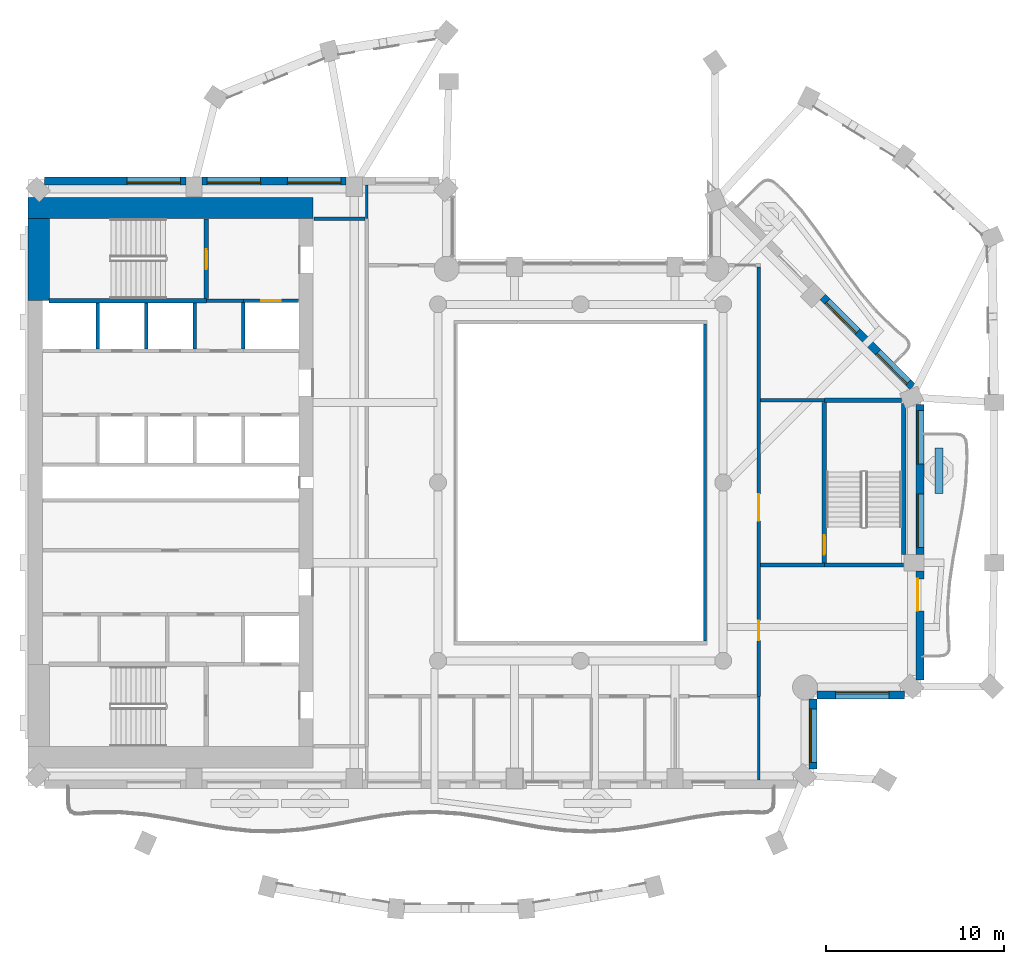
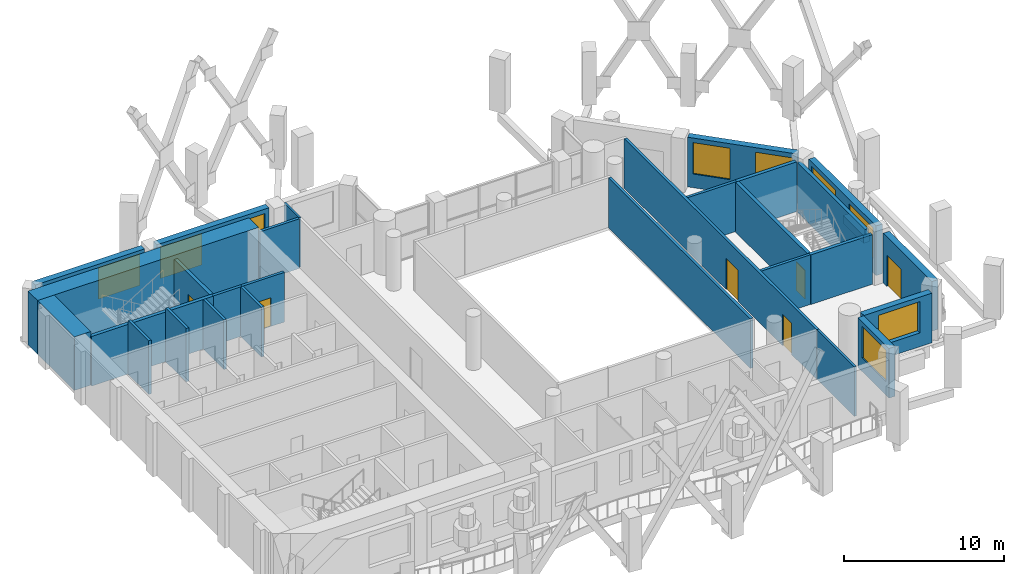
# One storey, part 6 of 16: 29 walls, 9 windows, 6 doors, 15 openings.
"""IFC4 building model written with IfcOpenShell, lengths in metres."""

from ifc_helpers import new_model, si_unit, direction, frame, frame_2d, origin, place, context, subcontext, project, spatial, rectangle, extrude, material, layer, layer_set, type_object, element, fill, save


model = new_model("IFC4")

# Units and contexts
model_context = context("Model", 3, precision=1e-05, world=origin(), true_north=direction((0.0, 1.0)))
body_context = subcontext(model_context, "Body", "Model", "MODEL_VIEW")
ifc_project = project(units=[si_unit("LENGTHUNIT", "METRE"), si_unit("AREAUNIT", "SQUARE_METRE"), si_unit("VOLUMEUNIT", "CUBIC_METRE"), si_unit("PLANEANGLEUNIT", "RADIAN"), si_unit("MASSUNIT", "GRAM", prefix="KILO")], contexts=[model_context])

# Site, building, storey
site_placement = place(None, origin())
site = spatial("IfcSite", under=ifc_project, at=site_placement, CompositionType="ELEMENT")
building_placement = place(site_placement, origin())
building = spatial("IfcBuilding", under=site, at=building_placement, Name="Cypress Arch Tower", CompositionType="ELEMENT")
storey_placement = place(building_placement, frame((0.0, 0.0, 181.0)))
storey = spatial("IfcBuildingStorey", under=building, at=storey_placement, Name="L39", CompositionType="ELEMENT", Elevation=181.0)

# Wall
ifc_material_1 = material(Name="Concrete C40/50, waterproofed", Category="concrete")
ifc_layer_1 = layer(ifc_material_1, 0.449951171875)
ifc_layer_set_1 = layer_set([ifc_layer_1], Name="Balcony planter wall PW450")
wall_type_1 = type_object("IfcWallType", Name="Balcony planter wall PW450", PredefinedType="SOLIDWALL", material=ifc_layer_set_1)
wall_1_placement = place(storey_placement, frame((21.10009765625, -0.61669921875, 0.0), z_axis=(0.0, 0.0, 1.0), x_axis=(0.0, 1.0, 0.0)))
element("IfcWall", 1, at=wall_1_placement, inside=storey, type_object=wall_type_1, Name="Balcony planter wall L39-B04.1", PredefinedType="SOLIDWALL", context=body_context, shape_type="SweptSolid", body=[
    extrude(rectangle(XDim=2.566650390625, YDim=0.449951171875, at=frame_2d((1.283203125, 0.0))), origin(), (0.0, 0.0, 1.0), 0.60009765625),
])

# Wall, opening, window
ifc_material_2 = material(Name="Brick (red buff blend)", Category="masonry")
ifc_layer_2 = layer(ifc_material_2, 0.449951171875)
ifc_layer_set_2 = layer_set([ifc_layer_2], Name="Brick pier and spandrel wall BW450")
wall_type_2 = type_object("IfcWallType", Name="Brick pier and spandrel wall BW450", PredefinedType="SOLIDWALL", material=ifc_layer_set_2)
wall_2_placement = place(storey_placement, frame((14.02490234375, -16.063720703125, 0.0), z_axis=(0.0, 0.0, 1.0), x_axis=(0.0, 1.0, 0.0)))
wall_2 = element("IfcWall", 2, at=wall_2_placement, inside=storey, type_object=wall_type_2, Name="Brick wall L39 B02.0", PredefinedType="SOLIDWALL", context=body_context, shape_type="SweptSolid", body=[
    extrude(rectangle(XDim=3.9091796875, YDim=0.449951171875, at=frame_2d((1.95458984375, 0.0))), origin(), (0.0, 0.0, 1.0), 3.800048828125),
])
opening_1_placement = place(wall_2_placement, frame((0.363525390625, 0.0, 1.050048828125)))
opening_1 = element("IfcOpeningElement", 3, at=opening_1_placement, cuts=wall_2, Name="Opening W300O", PredefinedType="OPENING", context=body_context, shape_type="SweptSolid", body=[
    extrude(rectangle(XDim=3.0, YDim=2.39990234375, at=frame_2d((1.5, 1.199951171875))), frame((0.0, 0.23486328125, 0.0), z_axis=(0.0, -1.0, 0.0), x_axis=(1.0, 0.0, 0.0)), (0.0, 0.0, 1.0), 0.469970703125),
])
ifc_material_3 = material(Name="Anodised aluminium, bronze finish, clear low-emissivity double glazing", Category="aluminium")
window_type_1 = type_object("IfcWindowType", Name="Window Office 3000x2400", PartitioningType="SINGLE_PANEL", PredefinedType="WINDOW", material=ifc_material_3)
window_1_placement = place(opening_1_placement, origin())
window_1 = element("IfcWindow", 4, at=window_1_placement, inside=storey, type_object=window_type_1, Name="Window L39 B02.0.1", OverallHeight=2.39990234375, OverallWidth=3.0, PartitioningType="SINGLE_PANEL", PredefinedType="WINDOW", context=body_context, shape_type="SweptSolid", body=[
    extrude(rectangle(XDim=3.0, YDim=2.39990234375, at=frame_2d((1.5, 1.199951171875))), frame((0.0, 0.135009765625, 0.0), z_axis=(0.0, -1.0, 0.0), x_axis=(1.0, 0.0, 0.0)), (0.0, 0.0, 1.0), 0.06005859375),
])
fill(opening_1, window_1)

wall_3_placement = place(storey_placement, frame((14.254638671875, -11.925048828125, 0.0), z_axis=(0.0, 0.0, 1.0), x_axis=(1.0, 0.0, 0.0)))
wall_3 = element("IfcWall", 5, at=wall_3_placement, inside=storey, type_object=wall_type_2, Name="Brick wall L39 B03.0", PredefinedType="SOLIDWALL", context=body_context, shape_type="SweptSolid", body=[
    extrude(rectangle(XDim=4.908935546875, YDim=0.449951171875, at=frame_2d((2.45458984375, 0.0))), origin(), (0.0, 0.0, 1.0), 3.800048828125),
])
opening_2_placement = place(wall_3_placement, frame((1.04541015625, 0.0, 1.050048828125)))
opening_2 = element("IfcOpeningElement", 6, at=opening_2_placement, cuts=wall_3, Name="Opening W300O", PredefinedType="OPENING", context=body_context, shape_type="SweptSolid", body=[
    extrude(rectangle(XDim=3.0, YDim=2.39990234375, at=frame_2d((1.5, 1.199951171875))), frame((0.0, 0.23486328125, 0.0), z_axis=(0.0, -1.0, 0.0), x_axis=(1.0, 0.0, 0.0)), (0.0, 0.0, 1.0), 0.469970703125),
])
window_2_placement = place(opening_2_placement, origin())
window_2 = element("IfcWindow", 7, at=window_2_placement, inside=storey, type_object=window_type_1, Name="Window L39 B03.0.1", OverallHeight=2.39990234375, OverallWidth=3.0, PartitioningType="SINGLE_PANEL", PredefinedType="WINDOW", context=body_context, shape_type="SweptSolid", body=[
    extrude(rectangle(XDim=3.0, YDim=2.39990234375, at=frame_2d((1.5, 1.199951171875))), frame((0.0, 0.135009765625, 0.0), z_axis=(0.0, -1.0, 0.0), x_axis=(1.0, 0.0, 0.0)), (0.0, 0.0, 1.0), 0.06005859375),
])
fill(opening_2, window_2)

# Wall, opening, door
wall_4_placement = place(storey_placement, frame((20.02490234375, -11.063720703125, 0.0), z_axis=(0.0, 0.0, 1.0), x_axis=(0.0, 1.0, 0.0)))
wall_4 = element("IfcWall", 8, at=wall_4_placement, inside=storey, type_object=wall_type_2, Name="Brick wall L39 B04.0", PredefinedType="SOLIDWALL", context=body_context, shape_type="SweptSolid", body=[
    extrude(rectangle(XDim=6.11376953125, YDim=0.449951171875, at=frame_2d((3.056884765625, 0.0))), origin(), (0.0, 0.0, 1.0), 3.800048828125),
])
opening_3_placement = place(wall_4_placement, frame((3.863525390625, 0.0, 0.0)))
opening_3 = element("IfcOpeningElement", 9, at=opening_3_placement, cuts=wall_4, Name="Opening D-L39-B04.0.2", PredefinedType="OPENING", context=body_context, shape_type="SweptSolid", body=[
    extrude(rectangle(XDim=1.800048828125, YDim=2.39990234375, at=frame_2d((0.89990234375, 1.199951171875))), frame((0.0, 0.23486328125, 0.0), z_axis=(0.0, -1.0, 0.0), x_axis=(1.0, 0.0, 0.0)), (0.0, 0.0, 1.0), 0.469970703125),
])
ifc_material_4 = material(Name="Anodised aluminium, bronze finish, laminated low-emissivity double glazing, large-missile impact rated", Category="aluminium")
door_type_1 = type_object("IfcDoorType", Name="Balcony sliding door 1800x2400", OperationType="SLIDING_TO_LEFT", PredefinedType="DOOR", material=ifc_material_4)
door_1_placement = place(opening_3_placement, origin())
door_1 = element("IfcDoor", 10, at=door_1_placement, inside=storey, type_object=door_type_1, Name="Balcony door L39 B04.0.2", OperationType="SLIDING_TO_LEFT", OverallHeight=2.39990234375, OverallWidth=1.800048828125, PredefinedType="DOOR", context=body_context, shape_type="SweptSolid", body=[
    extrude(rectangle(XDim=1.800048828125, YDim=2.39990234375, at=frame_2d((0.89990234375, 1.199951171875))), frame((0.0, 0.1298828125, 0.0), z_axis=(0.0, -1.0, 0.0), x_axis=(1.0, 0.0, 0.0)), (0.0, 0.0, 1.0), 0.050048828125),
])
fill(opening_3, door_1)

# Wall, openings, windows
wall_5_placement = place(storey_placement, frame((20.02490234375, -4.050048828125, 0.0), z_axis=(0.0, 0.0, 1.0), x_axis=(0.0, 1.0, 0.0)))
wall_5 = element("IfcWall", 11, at=wall_5_placement, inside=storey, type_object=wall_type_2, Name="Brick wall L39 B04.1", PredefinedType="SOLIDWALL", context=body_context, shape_type="SweptSolid", body=[
    extrude(rectangle(XDim=8.438720703125, YDim=0.449951171875, at=frame_2d((4.21923828125, 0.0))), origin(), (0.0, 0.0, 1.0), 3.800048828125),
])
opening_4_placement = place(wall_5_placement, frame((0.39404296875, 0.0, 1.050048828125)))
opening_4 = element("IfcOpeningElement", 12, at=opening_4_placement, cuts=wall_5, Name="Opening W300OD", PredefinedType="OPENING", context=body_context, shape_type="SweptSolid", body=[
    extrude(rectangle(XDim=3.0, YDim=2.39990234375, at=frame_2d((1.5, 1.199951171875))), frame((0.0, 0.23486328125, 0.0), z_axis=(0.0, -1.0, 0.0), x_axis=(1.0, 0.0, 0.0)), (0.0, 0.0, 1.0), 0.469970703125),
])
opening_5_placement = place(wall_5_placement, frame((5.081787109375, 0.0, 1.050048828125)))
opening_5 = element("IfcOpeningElement", 13, at=opening_5_placement, cuts=wall_5, Name="Opening W300OD", PredefinedType="OPENING", context=body_context, shape_type="SweptSolid", body=[
    extrude(rectangle(XDim=3.0, YDim=2.39990234375, at=frame_2d((1.5, 1.199951171875))), frame((0.0, 0.23486328125, 0.0), z_axis=(0.0, -1.0, 0.0), x_axis=(1.0, 0.0, 0.0)), (0.0, 0.0, 1.0), 0.469970703125),
])
ifc_material_5 = material(Name="Anodised aluminium, bronze finish, laminated low-emissivity double glazing, large-missile impact rated", Category="aluminium")
window_type_2 = type_object("IfcWindowType", Name="Window Office 3000x2400 debris-rated", PartitioningType="SINGLE_PANEL", PredefinedType="WINDOW", material=ifc_material_5)
window_3_placement = place(opening_4_placement, origin())
window_3 = element("IfcWindow", 14, at=window_3_placement, inside=storey, type_object=window_type_2, Name="Window L39 B04.1.1", OverallHeight=2.39990234375, OverallWidth=3.0, PartitioningType="SINGLE_PANEL", PredefinedType="WINDOW", context=body_context, shape_type="SweptSolid", body=[
    extrude(rectangle(XDim=3.0, YDim=2.39990234375, at=frame_2d((1.5, 1.199951171875))), frame((0.0, 0.135009765625, 0.0), z_axis=(0.0, -1.0, 0.0), x_axis=(1.0, 0.0, 0.0)), (0.0, 0.0, 1.0), 0.06005859375),
])
fill(opening_4, window_3)
window_4_placement = place(opening_5_placement, origin())
window_4 = element("IfcWindow", 15, at=window_4_placement, inside=storey, type_object=window_type_2, Name="Window L39 B04.1.2", OverallHeight=2.39990234375, OverallWidth=3.0, PartitioningType="SINGLE_PANEL", PredefinedType="WINDOW", context=body_context, shape_type="SweptSolid", body=[
    extrude(rectangle(XDim=3.0, YDim=2.39990234375, at=frame_2d((1.5, 1.199951171875))), frame((0.0, 0.135009765625, 0.0), z_axis=(0.0, -1.0, 0.0), x_axis=(1.0, 0.0, 0.0)), (0.0, 0.0, 1.0), 0.06005859375),
])
fill(opening_5, window_4)

wall_6_placement = place(storey_placement, frame((19.61474609375, 5.379150390625, 0.0), z_axis=(0.0, 0.0, 1.0), x_axis=(-0.707089646058, 0.7071239159, 0.0)))
wall_6 = element("IfcWall", 16, at=wall_6_placement, inside=storey, type_object=wall_type_2, Name="Brick wall L39 B05.0", PredefinedType="SOLIDWALL", context=body_context, shape_type="SweptSolid", body=[
    extrude(rectangle(XDim=7.1240234375, YDim=0.449951171875, at=frame_2d((3.56201171875, 0.0))), origin(), (0.0, 0.0, 1.0), 3.800048828125),
])
opening_6_placement = place(wall_6_placement, frame((0.328125, 0.0, 1.050048828125)))
opening_6 = element("IfcOpeningElement", 17, at=opening_6_placement, cuts=wall_6, Name="Opening W240OD", PredefinedType="OPENING", context=body_context, shape_type="SweptSolid", body=[
    extrude(rectangle(XDim=2.39990234375, YDim=2.39990234375, at=frame_2d((1.199951171875, 1.199951171875))), frame((0.0, 0.23486328125, 0.0), z_axis=(0.0, -1.0, 0.0), x_axis=(1.0, 0.0, 0.0)), (0.0, 0.0, 1.0), 0.469970703125),
])
opening_7_placement = place(wall_6_placement, frame((4.358642578125, 0.0, 1.050048828125)))
opening_7 = element("IfcOpeningElement", 18, at=opening_7_placement, cuts=wall_6, Name="Opening W240OD", PredefinedType="OPENING", context=body_context, shape_type="SweptSolid", body=[
    extrude(rectangle(XDim=2.39990234375, YDim=2.39990234375, at=frame_2d((1.199951171875, 1.199951171875))), frame((0.0, 0.23486328125, 0.0), z_axis=(0.0, -1.0, 0.0), x_axis=(1.0, 0.0, 0.0)), (0.0, 0.0, 1.0), 0.469970703125),
])
ifc_material_6 = material(Name="Anodised aluminium, bronze finish, laminated low-emissivity double glazing, large-missile impact rated", Category="aluminium")
window_type_3 = type_object("IfcWindowType", Name="Window Office 2400x2400 debris-rated", PartitioningType="SINGLE_PANEL", PredefinedType="WINDOW", material=ifc_material_6)
window_5_placement = place(opening_6_placement, origin())
window_5 = element("IfcWindow", 19, at=window_5_placement, inside=storey, type_object=window_type_3, Name="Window L39 B05.0.1", OverallHeight=2.39990234375, OverallWidth=2.39990234375, PartitioningType="SINGLE_PANEL", PredefinedType="WINDOW", context=body_context, shape_type="SweptSolid", body=[
    extrude(rectangle(XDim=2.39990234375, YDim=2.39990234375, at=frame_2d((1.199951171875, 1.199951171875))), frame((0.0, 0.135009765625, 0.0), z_axis=(0.0, -1.0, 0.0), x_axis=(1.0, 0.0, 0.0)), (0.0, 0.0, 1.0), 0.06005859375),
])
fill(opening_6, window_5)
window_6_placement = place(opening_7_placement, origin())
window_6 = element("IfcWindow", 20, at=window_6_placement, inside=storey, type_object=window_type_3, Name="Window L39 B05.0.2", OverallHeight=2.39990234375, OverallWidth=2.39990234375, PartitioningType="SINGLE_PANEL", PredefinedType="WINDOW", context=body_context, shape_type="SweptSolid", body=[
    extrude(rectangle(XDim=2.39990234375, YDim=2.39990234375, at=frame_2d((1.199951171875, 1.199951171875))), frame((0.0, 0.135009765625, 0.0), z_axis=(0.0, -1.0, 0.0), x_axis=(1.0, 0.0, 0.0)), (0.0, 0.0, 1.0), 0.06005859375),
])
fill(opening_7, window_6)

wall_7_placement = place(storey_placement, frame((-12.14990234375, 16.925048828125, 0.0), z_axis=(0.0, 0.0, 1.0), x_axis=(-1.0, 0.0, 0.0)))
wall_7 = element("IfcWall", 21, at=wall_7_placement, inside=storey, type_object=wall_type_2, Name="Brick wall L39 B09.1", PredefinedType="SOLIDWALL", context=body_context, shape_type="SweptSolid", body=[
    extrude(rectangle(XDim=8.10009765625, YDim=0.449951171875, at=frame_2d((4.050048828125, 0.0))), origin(), (0.0, 0.0, 1.0), 3.800048828125),
])
opening_8_placement = place(wall_7_placement, frame((0.300048828125, 0.0, 1.050048828125)))
opening_8 = element("IfcOpeningElement", 22, at=opening_8_placement, cuts=wall_7, Name="Opening W300O", PredefinedType="OPENING", context=body_context, shape_type="SweptSolid", body=[
    extrude(rectangle(XDim=3.0, YDim=2.39990234375, at=frame_2d((1.5, 1.199951171875))), frame((0.0, 0.23486328125, 0.0), z_axis=(0.0, -1.0, 0.0), x_axis=(1.0, 0.0, 0.0)), (0.0, 0.0, 1.0), 0.469970703125),
])
opening_9_placement = place(wall_7_placement, frame((4.800048828125, 0.0, 1.050048828125)))
opening_9 = element("IfcOpeningElement", 23, at=opening_9_placement, cuts=wall_7, Name="Opening W300O", PredefinedType="OPENING", context=body_context, shape_type="SweptSolid", body=[
    extrude(rectangle(XDim=3.0, YDim=2.39990234375, at=frame_2d((1.5, 1.199951171875))), frame((0.0, 0.23486328125, 0.0), z_axis=(0.0, -1.0, 0.0), x_axis=(1.0, 0.0, 0.0)), (0.0, 0.0, 1.0), 0.469970703125),
])
window_7_placement = place(opening_8_placement, origin())
window_7 = element("IfcWindow", 24, at=window_7_placement, inside=storey, type_object=window_type_1, Name="Window L39 B09.1.1", OverallHeight=2.39990234375, OverallWidth=3.0, PartitioningType="SINGLE_PANEL", PredefinedType="WINDOW", context=body_context, shape_type="SweptSolid", body=[
    extrude(rectangle(XDim=3.0, YDim=2.39990234375, at=frame_2d((1.5, 1.199951171875))), frame((0.0, 0.135009765625, 0.0), z_axis=(0.0, -1.0, 0.0), x_axis=(1.0, 0.0, 0.0)), (0.0, 0.0, 1.0), 0.06005859375),
])
fill(opening_8, window_7)
window_8_placement = place(opening_9_placement, origin())
window_8 = element("IfcWindow", 25, at=window_8_placement, inside=storey, type_object=window_type_1, Name="Window L39 B09.1.2", OverallHeight=2.39990234375, OverallWidth=3.0, PartitioningType="SINGLE_PANEL", PredefinedType="WINDOW", context=body_context, shape_type="SweptSolid", body=[
    extrude(rectangle(XDim=3.0, YDim=2.39990234375, at=frame_2d((1.5, 1.199951171875))), frame((0.0, 0.135009765625, 0.0), z_axis=(0.0, -1.0, 0.0), x_axis=(1.0, 0.0, 0.0)), (0.0, 0.0, 1.0), 0.06005859375),
])
fill(opening_9, window_8)

# Wall, opening, window
wall_8_placement = place(storey_placement, frame((-21.14990234375, 16.925048828125, 0.0), z_axis=(0.0, 0.0, 1.0), x_axis=(-1.0, 0.0, 0.0)))
wall_8 = element("IfcWall", 26, at=wall_8_placement, inside=storey, type_object=wall_type_2, Name="Brick wall L39 B09.2", PredefinedType="SOLIDWALL", context=body_context, shape_type="SweptSolid", body=[
    extrude(rectangle(XDim=7.913818359375, YDim=0.449951171875, at=frame_2d((3.95703125, 0.0))), origin(), (0.0, 0.0, 1.0), 3.800048828125),
])
opening_10_placement = place(wall_8_placement, frame((0.300048828125, 0.0, 1.050048828125)))
opening_10 = element("IfcOpeningElement", 27, at=opening_10_placement, cuts=wall_8, Name="Opening W300O", PredefinedType="OPENING", context=body_context, shape_type="SweptSolid", body=[
    extrude(rectangle(XDim=3.0, YDim=2.39990234375, at=frame_2d((1.5, 1.199951171875))), frame((0.0, 0.23486328125, 0.0), z_axis=(0.0, -1.0, 0.0), x_axis=(1.0, 0.0, 0.0)), (0.0, 0.0, 1.0), 0.469970703125),
])
window_9_placement = place(opening_10_placement, origin())
window_9 = element("IfcWindow", 28, at=window_9_placement, inside=storey, type_object=window_type_1, Name="Window L39 B09.2.1", OverallHeight=2.39990234375, OverallWidth=3.0, PartitioningType="SINGLE_PANEL", PredefinedType="WINDOW", context=body_context, shape_type="SweptSolid", body=[
    extrude(rectangle(XDim=3.0, YDim=2.39990234375, at=frame_2d((1.5, 1.199951171875))), frame((0.0, 0.135009765625, 0.0), z_axis=(0.0, -1.0, 0.0), x_axis=(1.0, 0.0, 0.0)), (0.0, 0.0, 1.0), 0.06005859375),
])
fill(opening_10, window_9)

# Walls
ifc_material_7 = material(Name="Concrete C70/85", Category="concrete")
ifc_layer_3 = layer(ifc_material_7, 1.199951171875)
ifc_layer_set_3 = layer_set([ifc_layer_3], Name="Core wall CW1200 C70/85")
wall_type_3 = type_object("IfcWallType", Name="Core wall CW1200 C70/85", PredefinedType="SHEAR", material=ifc_layer_set_3)
wall_9_placement = place(storey_placement, frame((-30.0, 15.39990234375, 0.0), z_axis=(0.0, 0.0, 1.0), x_axis=(1.0, 0.0, 0.0)))
element("IfcWall", 29, at=wall_9_placement, inside=storey, type_object=wall_type_3, Name="Core wall", PredefinedType="SHEAR", context=body_context, shape_type="SweptSolid", body=[
    extrude(rectangle(XDim=16.0, YDim=1.199951171875, at=frame_2d((8.0, 0.0))), origin(), (0.0, 0.0, 1.0), 4.10009765625),
])
wall_10_placement = place(storey_placement, frame((-29.39990234375, 10.199951171875, 0.0), z_axis=(0.0, 0.0, 1.0), x_axis=(0.0, 1.0, 0.0)))
element("IfcWall", 30, at=wall_10_placement, inside=storey, type_object=wall_type_3, Name="Core wall", PredefinedType="SHEAR", context=body_context, shape_type="SweptSolid", body=[
    extrude(rectangle(XDim=4.60009765625, YDim=1.199951171875, at=frame_2d((2.300048828125, 0.0))), origin(), (0.0, 0.0, 1.0), 4.10009765625),
])
ifc_material_8 = material(Name="Concrete blockwork, plastered, rated", Category="masonry")
ifc_layer_4 = layer(ifc_material_8, 0.199951171875)
ifc_layer_set_4 = layer_set([ifc_layer_4], Name="Corridor wall FW200")
wall_type_4 = type_object("IfcWallType", Name="Corridor wall FW200", PredefinedType="PARTITIONING", material=ifc_layer_set_4)
wall_11_placement = place(storey_placement, frame((-13.969970703125, 14.800048828125, 0.0), z_axis=(0.0, 0.0, 1.0), x_axis=(1.0, 0.0, 0.0)))
element("IfcWall", 31, at=wall_11_placement, inside=storey, type_object=wall_type_4, Name="Corridor wall", PredefinedType="PARTITIONING", context=body_context, shape_type="SweptSolid", body=[
    extrude(rectangle(XDim=2.869873046875, YDim=0.199951171875, at=frame_2d((1.43505859375, 0.0))), origin(), (0.0, 0.0, 1.0), 3.800048828125),
])
wall_12_placement = place(storey_placement, frame((8.0, -8.89990234375, 0.0), z_axis=(0.0, 0.0, 1.0), x_axis=(0.0, 1.0, 0.0)))
element("IfcWall", 32, at=wall_12_placement, inside=storey, type_object=wall_type_4, Name="Corridor wall", PredefinedType="PARTITIONING", context=body_context, shape_type="SweptSolid", body=[
    extrude(rectangle(XDim=17.7998046875, YDim=0.199951171875, at=frame_2d((8.89990234375, 0.0))), origin(), (0.0, 0.0, 1.0), 3.800048828125),
])

# Wall, openings, doors
wall_13_placement = place(storey_placement, frame((11.0, -12.0, 0.0), z_axis=(0.0, 0.0, 1.0), x_axis=(0.0, 1.0, 0.0)))
wall_13 = element("IfcWall", 33, at=wall_13_placement, inside=storey, type_object=wall_type_4, Name="Corridor wall", PredefinedType="PARTITIONING", context=body_context, shape_type="SweptSolid", body=[
    extrude(rectangle(XDim=24.10009765625, YDim=0.199951171875, at=frame_2d((12.050048828125, 0.0))), origin(), (0.0, 0.0, 1.0), 3.800048828125),
])
opening_11_placement = place(wall_13_placement, frame((9.85009765625, 0.0, 0.0)))
opening_11 = element("IfcOpeningElement", 34, at=opening_11_placement, cuts=wall_13, Name="Opening D07", PredefinedType="OPENING", context=body_context, shape_type="SweptSolid", body=[
    extrude(rectangle(XDim=1.5, YDim=2.39990234375, at=frame_2d((0.75, 1.199951171875))), frame((0.0, 0.10986328125, 0.0), z_axis=(0.0, -1.0, 0.0), x_axis=(1.0, 0.0, 0.0)), (0.0, 0.0, 1.0), 0.219970703125),
])
opening_12_placement = place(wall_13_placement, frame((3.14990234375, 0.0, 0.0)))
opening_12 = element("IfcOpeningElement", 35, at=opening_12_placement, cuts=wall_13, Name="Opening D01", PredefinedType="OPENING", context=body_context, shape_type="SweptSolid", body=[
    extrude(rectangle(XDim=1.10009765625, YDim=2.39990234375, at=frame_2d((0.550048828125, 1.199951171875))), frame((0.0, 0.10986328125, 0.0), z_axis=(0.0, -1.0, 0.0), x_axis=(1.0, 0.0, 0.0)), (0.0, 0.0, 1.0), 0.219970703125),
])
ifc_material_9 = material(Name="Steel framed glazed door, fire resisting", Category="steel")
door_type_2 = type_object("IfcDoorType", Name="Lobby door D07 1500x2400", OperationType="DOUBLE_DOOR_SINGLE_SWING", PredefinedType="DOOR", material=ifc_material_9)
door_2_placement = place(opening_11_placement, origin())
door_2 = element("IfcDoor", 36, at=door_2_placement, inside=storey, type_object=door_type_2, Name="Lobby door", OperationType="DOUBLE_DOOR_SINGLE_SWING", OverallHeight=2.39990234375, OverallWidth=1.5, PredefinedType="DOOR", context=body_context, shape_type="SweptSolid", body=[
    extrude(rectangle(XDim=1.5, YDim=2.39990234375, at=frame_2d((0.75, 1.199951171875))), frame((0.0, 0.02490234375, 0.0), z_axis=(0.0, -1.0, 0.0), x_axis=(1.0, 0.0, 0.0)), (0.0, 0.0, 1.0), 0.050048828125),
])
fill(opening_11, door_2)
ifc_material_10 = material(Name="Timber flush door, fire resisting, self-closing", Category="wood")
door_type_3 = type_object("IfcDoorType", Name="Unit entrance door D01 1100x2400", OperationType="SINGLE_SWING_LEFT", PredefinedType="DOOR", material=ifc_material_10)
door_3_placement = place(opening_12_placement, origin())
door_3 = element("IfcDoor", 37, at=door_3_placement, inside=storey, type_object=door_type_3, Name="Unit entrance door", OperationType="SINGLE_SWING_RIGHT", OverallHeight=2.39990234375, OverallWidth=1.10009765625, PredefinedType="DOOR", context=body_context, shape_type="SweptSolid", body=[
    extrude(rectangle(XDim=1.10009765625, YDim=2.39990234375, at=frame_2d((0.550048828125, 1.199951171875))), frame((0.0, 0.02490234375, 0.0), z_axis=(0.0, -1.0, 0.0), x_axis=(1.0, 0.0, 0.0)), (0.0, 0.0, 1.0), 0.050048828125),
])
fill(opening_12, door_3)

# Walls
for number, where, z_axis, x_axis, name in (
    (38, (11.10009765625, -4.625, 0.0), (0.0, 0.0, 1.0), (1.0, 0.0, 0.0), "Corridor wall"),
    (39, (11.10009765625, 4.625, 0.0), (0.0, 0.0, 1.0), (1.0, 0.0, 0.0), "Corridor wall"),
):
    element("IfcWall", number, at=place(storey_placement, frame(where, z_axis=z_axis, x_axis=x_axis)), inside=storey, type_object=wall_type_4, Name=name, PredefinedType="PARTITIONING", context=body_context, shape_type="SweptSolid", body=[
        extrude(rectangle(XDim=3.574951171875, YDim=0.199951171875, at=frame_2d((1.78759765625, 0.0))), origin(), (0.0, 0.0, 1.0), 3.800048828125),
    ])
ifc_material_11 = material(Name="Blockwork, plastered both sides", Category="masonry")
ifc_layer_5 = layer(ifc_material_11, 0.14990234375)
ifc_layer_set_5 = layer_set([ifc_layer_5], Name="Partition PW150")
wall_type_5 = type_object("IfcWallType", Name="Partition PW150", PredefinedType="PARTITIONING", material=ifc_layer_set_5)
wall_14_placement = place(storey_placement, frame((-11.0, 14.820068359375, 0.0), z_axis=(0.0, 0.0, 1.0), x_axis=(0.0, 1.0, 0.0)))
element("IfcWall", 40, at=wall_14_placement, inside=storey, type_object=wall_type_5, Name="Partition", PredefinedType="PARTITIONING", context=body_context, shape_type="SweptSolid", body=[
    extrude(rectangle(XDim=1.8798828125, YDim=0.14990234375, at=frame_2d((0.93994140625, 0.0))), origin(), (0.0, 0.0, 1.0), 3.800048828125),
])
wall_15_placement = place(storey_placement, frame((11.0, -16.699951171875, 0.0), z_axis=(0.0, 0.0, 1.0), x_axis=(0.0, 1.0, 0.0)))
element("IfcWall", 41, at=wall_15_placement, inside=storey, type_object=wall_type_5, Name="Partition", PredefinedType="PARTITIONING", context=body_context, shape_type="SweptSolid", body=[
    extrude(rectangle(XDim=4.699951171875, YDim=0.14990234375, at=frame_2d((2.35009765625, 0.0))), origin(), (0.0, 0.0, 1.0), 3.800048828125),
])
ifc_material_12 = material(Name="Reinforced blockwork, plastered, rated", Category="masonry")
ifc_layer_6 = layer(ifc_material_12, 0.199951171875)
ifc_layer_set_6 = layer_set([ifc_layer_6], Name="Plant and riser wall PL200")
wall_type_6 = type_object("IfcWallType", Name="Plant and riser wall PL200", PredefinedType="PARTITIONING", material=ifc_layer_set_6)
wall_16_placement = place(storey_placement, frame((-20.0, 10.199951171875, 0.0), z_axis=(0.0, 0.0, 1.0), x_axis=(1.0, 0.0, 0.0)))
element("IfcWall", 42, at=wall_16_placement, inside=storey, type_object=wall_type_6, Name="Plant and riser wall", PredefinedType="PARTITIONING", context=body_context, shape_type="SweptSolid", body=[
    extrude(rectangle(XDim=2.080078125, YDim=0.199951171875, at=frame_2d((1.0400390625, 0.0))), origin(), (0.0, 0.0, 1.0), 3.800048828125),
])
ifc_material_13 = material(Name="Concrete C50/60", Category="concrete")
ifc_layer_7 = layer(ifc_material_13, 0.199951171875)
ifc_layer_set_7 = layer_set([ifc_layer_7], Name="Shaft wall SH200")
wall_type_7 = type_object("IfcWallType", Name="Shaft wall SH200", PredefinedType="SHEAR", material=ifc_layer_set_7)
for number, where, z_axis, x_axis, name in (
    (43, (-26.080078125, 7.5, 0.0), (0.0, 0.0, 1.0), (0.0, 1.0, 0.0), "Shaft wall"),
    (44, (-23.360107421875, 7.5, 0.0), (0.0, 0.0, 1.0), (0.0, 1.0, 0.0), "Shaft wall"),
):
    element("IfcWall", number, at=place(storey_placement, frame(where, z_axis=z_axis, x_axis=x_axis)), inside=storey, type_object=wall_type_7, Name=name, PredefinedType="SHEAR", context=body_context, shape_type="SweptSolid", body=[
        extrude(rectangle(XDim=2.574951171875, YDim=0.199951171875, at=frame_2d((1.28759765625, 0.0))), origin(), (0.0, 0.0, 1.0), 4.10009765625),
    ])
wall_17_placement = place(storey_placement, frame((-20.639892578125, 7.5, 0.0), z_axis=(0.0, 0.0, 1.0), x_axis=(0.0, 1.0, 0.0)))
element("IfcWall", 45, at=wall_17_placement, inside=storey, type_object=wall_type_7, Name="Shaft wall", PredefinedType="SHEAR", context=body_context, shape_type="SweptSolid", body=[
    extrude(rectangle(XDim=2.574951171875, YDim=0.199951171875, at=frame_2d((1.28759765625, 0.0))), origin(), (0.0, 0.0, 1.0), 3.800048828125),
])
wall_18_placement = place(storey_placement, frame((-17.919921875, 7.5, 0.0), z_axis=(0.0, 0.0, 1.0), x_axis=(0.0, 1.0, 0.0)))
element("IfcWall", 46, at=wall_18_placement, inside=storey, type_object=wall_type_7, Name="Shaft wall", PredefinedType="SHEAR", context=body_context, shape_type="SweptSolid", body=[
    extrude(rectangle(XDim=2.60009765625, YDim=0.199951171875, at=frame_2d((1.300048828125, 0.0))), origin(), (0.0, 0.0, 1.0), 3.800048828125),
])

# Wall, opening, door
wall_19_placement = place(storey_placement, frame((-17.919921875, 10.199951171875, 0.0), z_axis=(0.0, 0.0, 1.0), x_axis=(1.0, 0.0, 0.0)))
wall_19 = element("IfcWall", 47, at=wall_19_placement, inside=storey, type_object=wall_type_7, Name="Shaft wall", PredefinedType="SHEAR", context=body_context, shape_type="SweptSolid", body=[
    extrude(rectangle(XDim=3.08984375, YDim=0.199951171875, at=frame_2d((1.544921875, 0.0))), origin(), (0.0, 0.0, 1.0), 3.800048828125),
])
opening_13_placement = place(wall_19_placement, frame((1.0, 0.0, 0.0)))
opening_13 = element("IfcOpeningElement", 48, at=opening_13_placement, cuts=wall_19, Name="Opening LD-FL2", PredefinedType="OPENING", context=body_context, shape_type="SweptSolid", body=[
    extrude(rectangle(XDim=1.10009765625, YDim=2.199951171875, at=frame_2d((0.550048828125, 1.10009765625))), frame((0.0, 0.10986328125, 0.0), z_axis=(0.0, -1.0, 0.0), x_axis=(1.0, 0.0, 0.0)), (0.0, 0.0, 1.0), 0.219970703125),
])
ifc_material_14 = material(Name="Stainless steel centre-opening landing door, rated", Category="steel")
door_type_4 = type_object("IfcDoorType", Name="Lift landing door LD 1100x2200", OperationType="DOUBLE_DOOR_SLIDING", PredefinedType="DOOR", material=ifc_material_14)
door_4_placement = place(opening_13_placement, origin())
door_4 = element("IfcDoor", 49, at=door_4_placement, inside=storey, type_object=door_type_4, Name="Lift landing doors FL2", OperationType="DOUBLE_DOOR_SLIDING", OverallHeight=2.199951171875, OverallWidth=1.10009765625, PredefinedType="DOOR", context=body_context, shape_type="SweptSolid", body=[
    extrude(rectangle(XDim=1.10009765625, YDim=2.199951171875, at=frame_2d((0.550048828125, 1.10009765625))), frame((0.0, 0.02490234375, 0.0), z_axis=(0.0, -1.0, 0.0), x_axis=(1.0, 0.0, 0.0)), (0.0, 0.0, 1.0), 0.050048828125),
])
fill(opening_13, door_4)

# Wall
ifc_material_15 = material(Name="Concrete C50/60", Category="concrete")
ifc_layer_8 = layer(ifc_material_15, 0.25)
ifc_layer_set_8 = layer_set([ifc_layer_8], Name="Stair enclosure wall SW250")
wall_type_8 = type_object("IfcWallType", Name="Stair enclosure wall SW250", PredefinedType="SHEAR", material=ifc_layer_set_8)
wall_20_placement = place(storey_placement, frame((-28.81005859375, 10.199951171875, 0.0), z_axis=(0.0, 0.0, 1.0), x_axis=(1.0, 0.0, 0.0)))
element("IfcWall", 50, at=wall_20_placement, inside=storey, type_object=wall_type_8, Name="Stair enclosure wall", PredefinedType="SHEAR", context=body_context, shape_type="SweptSolid", body=[
    extrude(rectangle(XDim=8.81005859375, YDim=0.25, at=frame_2d((4.405029296875, 0.0))), origin(), (0.0, 0.0, 1.0), 3.800048828125),
])

# Wall, opening, door
wall_21_placement = place(storey_placement, frame((-20.0, 10.324951171875, 0.0), z_axis=(0.0, 0.0, 1.0), x_axis=(0.0, 1.0, 0.0)))
wall_21 = element("IfcWall", 51, at=wall_21_placement, inside=storey, type_object=wall_type_8, Name="Stair enclosure wall", PredefinedType="SHEAR", context=body_context, shape_type="SweptSolid", body=[
    extrude(rectangle(XDim=4.445068359375, YDim=0.25, at=frame_2d((2.22265625, 0.0))), origin(), (0.0, 0.0, 1.0), 3.800048828125),
])
opening_14_placement = place(wall_21_placement, frame((1.64990234375, 0.0, 0.0)))
opening_14 = element("IfcOpeningElement", 52, at=opening_14_placement, cuts=wall_21, Name="Opening D06", PredefinedType="OPENING", context=body_context, shape_type="SweptSolid", body=[
    extrude(rectangle(XDim=1.10009765625, YDim=2.199951171875, at=frame_2d((0.550048828125, 1.10009765625))), frame((0.0, 0.135009765625, 0.0), z_axis=(0.0, -1.0, 0.0), x_axis=(1.0, 0.0, 0.0)), (0.0, 0.0, 1.0), 0.27001953125),
])
ifc_material_16 = material(Name="Steel door, fire resisting, panic bar", Category="steel")
door_type_5 = type_object("IfcDoorType", Name="Stair door D06 1100x2200", OperationType="SINGLE_SWING_LEFT", PredefinedType="DOOR", material=ifc_material_16)
door_5_placement = place(opening_14_placement, origin())
door_5 = element("IfcDoor", 53, at=door_5_placement, inside=storey, type_object=door_type_5, Name="Stair door", OperationType="SINGLE_SWING_LEFT", OverallHeight=2.199951171875, OverallWidth=1.10009765625, PredefinedType="DOOR", context=body_context, shape_type="SweptSolid", body=[
    extrude(rectangle(XDim=1.10009765625, YDim=2.199951171875, at=frame_2d((0.550048828125, 1.10009765625))), frame((0.0, 0.02490234375, 0.0), z_axis=(0.0, -1.0, 0.0), x_axis=(1.0, 0.0, 0.0)), (0.0, 0.0, 1.0), 0.050048828125),
])
fill(opening_14, door_5)

wall_22_placement = place(storey_placement, frame((14.675048828125, -4.5, 0.0), z_axis=(0.0, 0.0, 1.0), x_axis=(0.0, 1.0, 0.0)))
wall_22 = element("IfcWall", 54, at=wall_22_placement, inside=storey, type_object=wall_type_8, Name="Stair enclosure wall", PredefinedType="SHEAR", context=body_context, shape_type="SweptSolid", body=[
    extrude(rectangle(XDim=9.0, YDim=0.25, at=frame_2d((4.5, 0.0))), origin(), (0.0, 0.0, 1.0), 3.800048828125),
])
opening_15_placement = place(wall_22_placement, frame((0.449951171875, 0.0, 0.0)))
opening_15 = element("IfcOpeningElement", 55, at=opening_15_placement, cuts=wall_22, Name="Opening D06", PredefinedType="OPENING", context=body_context, shape_type="SweptSolid", body=[
    extrude(rectangle(XDim=1.10009765625, YDim=2.199951171875, at=frame_2d((0.550048828125, 1.10009765625))), frame((0.0, 0.135009765625, 0.0), z_axis=(0.0, -1.0, 0.0), x_axis=(1.0, 0.0, 0.0)), (0.0, 0.0, 1.0), 0.27001953125),
])
door_6_placement = place(opening_15_placement, origin())
door_6 = element("IfcDoor", 56, at=door_6_placement, inside=storey, type_object=door_type_5, Name="Stair door", OperationType="SINGLE_SWING_RIGHT", OverallHeight=2.199951171875, OverallWidth=1.10009765625, PredefinedType="DOOR", context=body_context, shape_type="SweptSolid", body=[
    extrude(rectangle(XDim=1.10009765625, YDim=2.199951171875, at=frame_2d((0.550048828125, 1.10009765625))), frame((0.0, 0.02490234375, 0.0), z_axis=(0.0, -1.0, 0.0), x_axis=(1.0, 0.0, 0.0)), (0.0, 0.0, 1.0), 0.050048828125),
])
fill(opening_15, door_6)

# Walls
wall_23_placement = place(storey_placement, frame((14.675048828125, -4.625, 0.0), z_axis=(0.0, 0.0, 1.0), x_axis=(1.0, 0.0, 0.0)))
element("IfcWall", 57, at=wall_23_placement, inside=storey, type_object=wall_type_8, Name="Stair enclosure wall", PredefinedType="SHEAR", context=body_context, shape_type="SweptSolid", body=[
    extrude(rectangle(XDim=4.449951171875, YDim=0.25, at=frame_2d((2.22509765625, 0.0))), origin(), (0.0, 0.0, 1.0), 3.800048828125),
])
wall_24_placement = place(storey_placement, frame((14.675048828125, 4.625, 0.0), z_axis=(0.0, 0.0, 1.0), x_axis=(1.0, 0.0, 0.0)))
element("IfcWall", 58, at=wall_24_placement, inside=storey, type_object=wall_type_8, Name="Stair enclosure wall", PredefinedType="SHEAR", context=body_context, shape_type="SweptSolid", body=[
    extrude(rectangle(XDim=4.32373046875, YDim=0.25, at=frame_2d((2.161865234375, 0.0))), origin(), (0.0, 0.0, 1.0), 3.800048828125),
])
wall_25_placement = place(storey_placement, frame((19.125, -4.050048828125, 0.0), z_axis=(0.0, 0.0, 1.0), x_axis=(0.0, 1.0, 0.0)))
element("IfcWall", 59, at=wall_25_placement, inside=storey, type_object=wall_type_8, Name="Stair enclosure wall", PredefinedType="SHEAR", context=body_context, shape_type="SweptSolid", body=[
    extrude(rectangle(XDim=8.4765625, YDim=0.25, at=frame_2d((4.23828125, 0.0))), origin(), (0.0, 0.0, 1.0), 3.800048828125),
])

save(model, "model.ifc")
